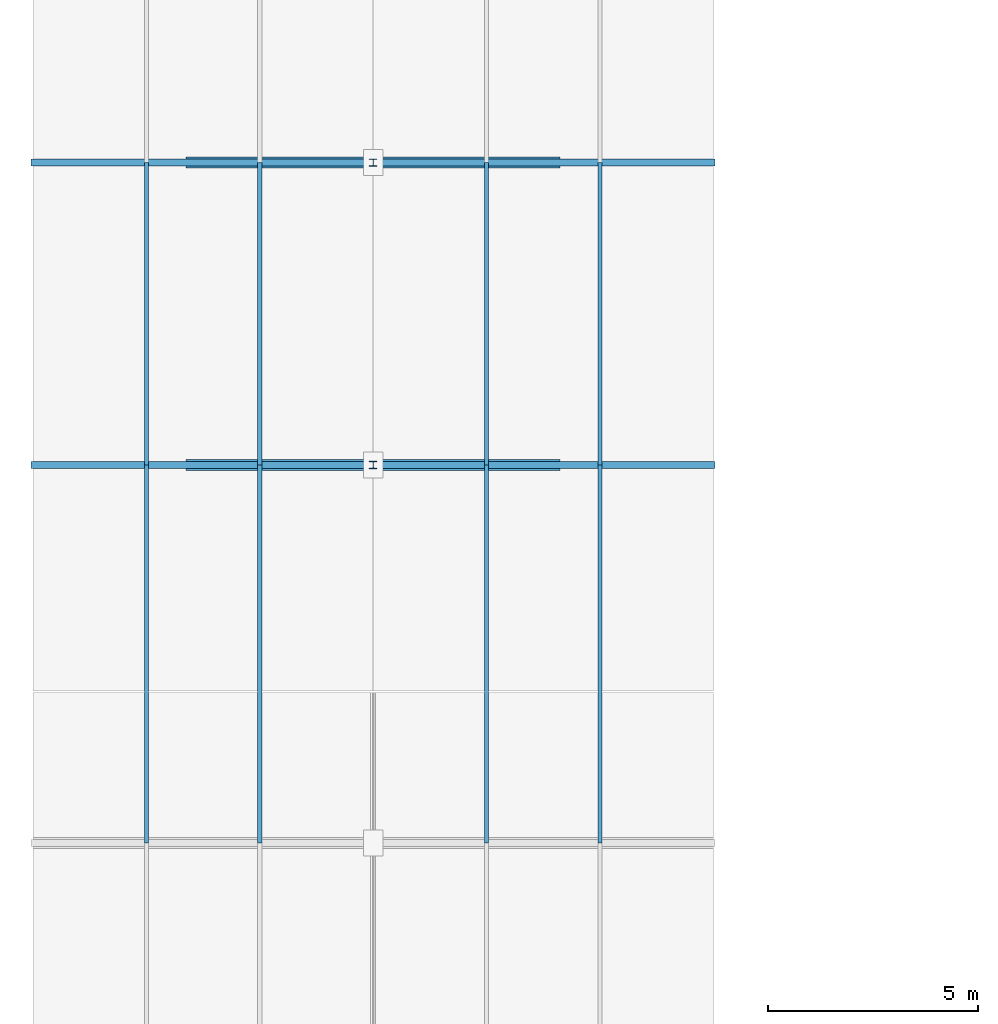
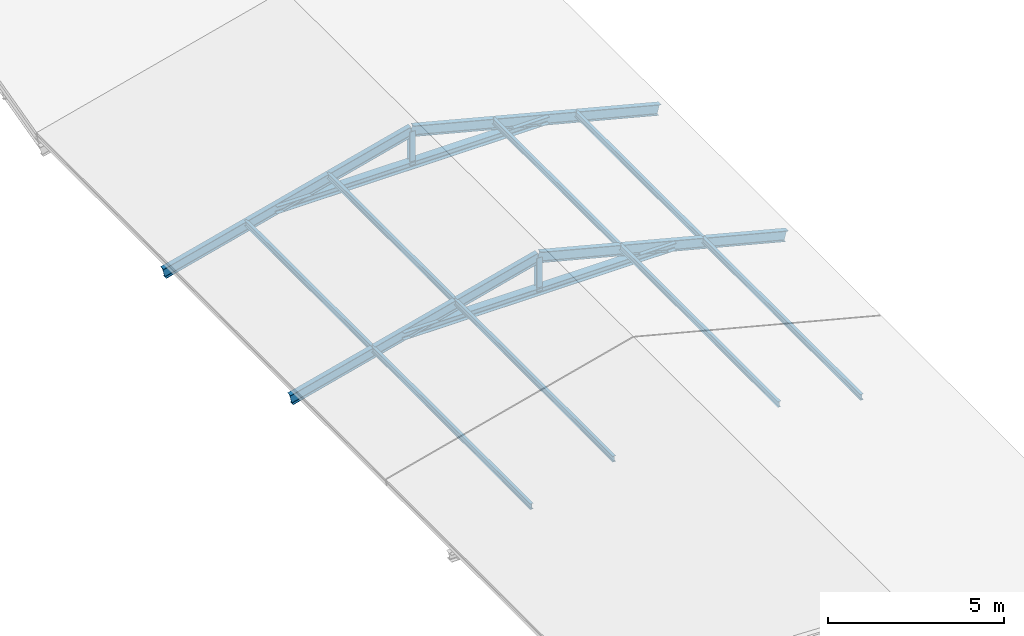
# One storey, part 11 of 31: 16 members.
"""IFC4 building model written with IfcOpenShell, lengths in metres."""

from ifc_helpers import new_model, si_unit, direction, frame, origin, origin_2d, place, context, subcontext, project, spatial, i_section, extrude, material, material_profile, profile_set, type_object, element, save


model = new_model("IFC4")

# Units and contexts
model_context = context("Model", 3, precision=1e-05, world=origin(), true_north=direction((0.0, 1.0)))
body_context = subcontext(model_context, "Body", "Model", "MODEL_VIEW")
ifc_project = project(units=[si_unit("LENGTHUNIT", "METRE"), si_unit("AREAUNIT", "SQUARE_METRE"), si_unit("VOLUMEUNIT", "CUBIC_METRE"), si_unit("PLANEANGLEUNIT", "RADIAN"), si_unit("MASSUNIT", "GRAM", prefix="KILO")], contexts=[model_context])

# Site, building, storey
site_placement = place(None, origin())
site = spatial("IfcSite", under=ifc_project, at=site_placement, CompositionType="ELEMENT")
building_placement = place(site_placement, origin())
building = spatial("IfcBuilding", under=site, at=building_placement, Name="Clarverna Civic Hall", CompositionType="ELEMENT")
storey_placement = place(building_placement, frame((0.0, 0.0, 31.199951171875)))
storey = spatial("IfcBuildingStorey", under=building, at=storey_placement, Name="RF", CompositionType="ELEMENT", Elevation=31.199951171875)

# Members
ifc_material = material(Name="Steel S355", Category="steel")
ifc_material_profile_1 = material_profile(ifc_material, i_section(OverallWidth=0.260009765625, OverallDepth=0.25, WebThickness=0.007568359375, FlangeThickness=0.012451171875, FilletRadius=0.02392578125, at=origin_2d()), Name="HEA 260")
ifc_profile_set_1 = profile_set([ifc_material_profile_1], Name="Steel S355")
member_type_1 = type_object("IfcMemberType", Name="CH-02", PredefinedType="CHORD", material=ifc_profile_set_1)
for number, where, z_axis, x_axis, name in (
    (1, (3.64501953125, 87.800048828125, -10.207275390625), (1.0, 0.0, 0.0), (0.0, 1.0, 0.0), "CH-02-004"),
    (2, (3.64501953125, 95.0, -10.207275390625), (1.0, 0.0, 0.0), (0.0, 1.0, 0.0), "CH-02-005"),
):
    element("IfcMember", number, at=place(storey_placement, frame(where, z_axis=z_axis, x_axis=x_axis)), inside=storey, type_object=member_type_1, Name=name, PredefinedType="CHORD", context=body_context, shape_type="SweptSolid", body=[
        extrude(i_section(OverallWidth=0.260009765625, OverallDepth=0.25, WebThickness=0.007568359375, FlangeThickness=0.012451171875, FilletRadius=0.02392578125, at=origin_2d()), origin(), (0.0, 0.0, 1.0), 8.909912109375),
    ])
ifc_material_profile_2 = material_profile(ifc_material, i_section(OverallWidth=0.179931640625, OverallDepth=0.1708984375, WebThickness=0.006103515625, FlangeThickness=0.009521484375, FilletRadius=0.014892578125, at=origin_2d()), Name="HEA 180")
ifc_profile_set_2 = profile_set([ifc_material_profile_2], Name="Steel S355")
member_type_2 = type_object("IfcMemberType", Name="CH-04", PredefinedType="CHORD", material=ifc_profile_set_2)
for number, where, z_axis, x_axis, name in (
    (3, (8.10009765625, 87.800048828125, -10.207275390625), (0.0, 0.0, 1.0), (1.0, 0.0, 0.0), "CH-04-096"),
    (4, (8.10009765625, 95.0, -10.207275390625), (0.0, 0.0, 1.0), (1.0, 0.0, 0.0), "CH-04-097"),
):
    element("IfcMember", number, at=place(storey_placement, frame(where, z_axis=z_axis, x_axis=x_axis)), inside=storey, type_object=member_type_2, Name=name, PredefinedType="CHORD", context=body_context, shape_type="SweptSolid", body=[
        extrude(i_section(OverallWidth=0.179931640625, OverallDepth=0.1708984375, WebThickness=0.006103515625, FlangeThickness=0.009521484375, FilletRadius=0.014892578125, at=origin_2d()), origin(), (0.0, 0.0, 1.0), 1.152099609375),
    ])
ifc_material_profile_3 = material_profile(ifc_material, i_section(OverallWidth=0.10009765625, OverallDepth=0.199951171875, WebThickness=0.005615234375, FlangeThickness=0.008544921875, FilletRadius=0.011962890625, at=origin_2d()), Name="IPE 200")
ifc_profile_set_3 = profile_set([ifc_material_profile_3], Name="Steel S355")
member_type_3 = type_object("IfcMemberType", Name="PU-RF1", PredefinedType="PURLIN", material=ifc_profile_set_3)
member_1_placement = place(storey_placement, frame((2.699951171875, 78.800048828125, -10.361572265625), z_axis=(0.0, 1.0, 0.0), x_axis=(-1.0, 0.0, 0.0)))
element("IfcMember", 5, at=member_1_placement, inside=storey, type_object=member_type_3, Name="PU-RF1-035", PredefinedType="PURLIN", context=body_context, shape_type="SweptSolid", body=[
    extrude(i_section(OverallWidth=0.10009765625, OverallDepth=0.199951171875, WebThickness=0.005615234375, FlangeThickness=0.008544921875, FilletRadius=0.011962890625, at=origin_2d()), origin(), (0.0, 0.0, 1.0), 9.0),
])
member_2_placement = place(storey_placement, frame((2.699951171875, 87.800048828125, -10.361572265625), z_axis=(0.0, 1.0, 0.0), x_axis=(-1.0, 0.0, 0.0)))
element("IfcMember", 6, at=member_2_placement, inside=storey, type_object=member_type_3, Name="PU-RF1-036", PredefinedType="PURLIN", context=body_context, shape_type="SweptSolid", body=[
    extrude(i_section(OverallWidth=0.10009765625, OverallDepth=0.199951171875, WebThickness=0.005615234375, FlangeThickness=0.008544921875, FilletRadius=0.011962890625, at=origin_2d()), origin(), (0.0, 0.0, 1.0), 7.199951171875),
])
member_3_placement = place(storey_placement, frame((5.39990234375, 78.800048828125, -9.663330078125), z_axis=(0.0, 1.0, 0.0), x_axis=(-1.0, 0.0, 0.0)))
element("IfcMember", 7, at=member_3_placement, inside=storey, type_object=member_type_3, Name="PU-RF1-040", PredefinedType="PURLIN", context=body_context, shape_type="SweptSolid", body=[
    extrude(i_section(OverallWidth=0.10009765625, OverallDepth=0.199951171875, WebThickness=0.005615234375, FlangeThickness=0.008544921875, FilletRadius=0.011962890625, at=origin_2d()), origin(), (0.0, 0.0, 1.0), 9.0),
])
member_4_placement = place(storey_placement, frame((5.39990234375, 87.800048828125, -9.663330078125), z_axis=(0.0, 1.0, 0.0), x_axis=(-1.0, 0.0, 0.0)))
element("IfcMember", 8, at=member_4_placement, inside=storey, type_object=member_type_3, Name="PU-RF1-041", PredefinedType="PURLIN", context=body_context, shape_type="SweptSolid", body=[
    extrude(i_section(OverallWidth=0.10009765625, OverallDepth=0.199951171875, WebThickness=0.005615234375, FlangeThickness=0.008544921875, FilletRadius=0.011962890625, at=origin_2d()), origin(), (0.0, 0.0, 1.0), 7.199951171875),
])
member_5_placement = place(storey_placement, frame((10.800048828125, 78.800048828125, -9.663330078125), z_axis=(0.0, 1.0, 0.0), x_axis=(-1.0, 0.0, 0.0)))
element("IfcMember", 9, at=member_5_placement, inside=storey, type_object=member_type_3, Name="PU-RF1-045", PredefinedType="PURLIN", context=body_context, shape_type="SweptSolid", body=[
    extrude(i_section(OverallWidth=0.10009765625, OverallDepth=0.199951171875, WebThickness=0.005615234375, FlangeThickness=0.008544921875, FilletRadius=0.011962890625, at=origin_2d()), origin(), (0.0, 0.0, 1.0), 9.0),
])
member_6_placement = place(storey_placement, frame((10.800048828125, 87.800048828125, -9.663330078125), z_axis=(0.0, 1.0, 0.0), x_axis=(-1.0, 0.0, 0.0)))
element("IfcMember", 10, at=member_6_placement, inside=storey, type_object=member_type_3, Name="PU-RF1-046", PredefinedType="PURLIN", context=body_context, shape_type="SweptSolid", body=[
    extrude(i_section(OverallWidth=0.10009765625, OverallDepth=0.199951171875, WebThickness=0.005615234375, FlangeThickness=0.008544921875, FilletRadius=0.011962890625, at=origin_2d()), origin(), (0.0, 0.0, 1.0), 7.199951171875),
])
member_7_placement = place(storey_placement, frame((13.5, 78.800048828125, -10.361572265625), z_axis=(0.0, 1.0, 0.0), x_axis=(-1.0, 0.0, 0.0)))
element("IfcMember", 11, at=member_7_placement, inside=storey, type_object=member_type_3, Name="PU-RF1-050", PredefinedType="PURLIN", context=body_context, shape_type="SweptSolid", body=[
    extrude(i_section(OverallWidth=0.10009765625, OverallDepth=0.199951171875, WebThickness=0.005615234375, FlangeThickness=0.008544921875, FilletRadius=0.011962890625, at=origin_2d()), origin(), (0.0, 0.0, 1.0), 9.0),
])
member_8_placement = place(storey_placement, frame((13.5, 87.800048828125, -10.361572265625), z_axis=(0.0, 1.0, 0.0), x_axis=(-1.0, 0.0, 0.0)))
element("IfcMember", 12, at=member_8_placement, inside=storey, type_object=member_type_3, Name="PU-RF1-051", PredefinedType="PURLIN", context=body_context, shape_type="SweptSolid", body=[
    extrude(i_section(OverallWidth=0.10009765625, OverallDepth=0.199951171875, WebThickness=0.005615234375, FlangeThickness=0.008544921875, FilletRadius=0.011962890625, at=origin_2d()), origin(), (0.0, 0.0, 1.0), 7.199951171875),
])
ifc_material_profile_4 = material_profile(ifc_material, i_section(OverallWidth=0.169921875, OverallDepth=0.360107421875, WebThickness=0.008056640625, FlangeThickness=0.0126953125, FilletRadius=0.01806640625, at=origin_2d()), Name="IPE 360")
ifc_profile_set_4 = profile_set([ifc_material_profile_4], Name="Steel S355")
member_type_4 = type_object("IfcMemberType", Name="RF-02", PredefinedType="RAFTER", material=ifc_profile_set_4)
member_9_placement = place(storey_placement, frame((0.0, 87.800048828125, -11.14990234375), z_axis=(0.96815057025, 0.0, 0.250368674807), x_axis=(0.0, 1.0, 0.0)))
element("IfcMember", 13, at=member_9_placement, inside=storey, type_object=member_type_4, Name="RF-02-007", PredefinedType="RAFTER", context=body_context, shape_type="SweptSolid", body=[
    extrude(i_section(OverallWidth=0.169921875, OverallDepth=0.360107421875, WebThickness=0.008056640625, FlangeThickness=0.0126953125, FilletRadius=0.01806640625, at=origin_2d()), origin(), (0.0, 0.0, 1.0), 8.366455078125),
])
member_10_placement = place(storey_placement, frame((16.199951171875, 87.800048828125, -11.14990234375), z_axis=(-0.968148741008, 0.0, 0.250375748195), x_axis=(0.0, -1.0, 0.0)))
element("IfcMember", 14, at=member_10_placement, inside=storey, type_object=member_type_4, Name="RF-02-008", PredefinedType="RAFTER", context=body_context, shape_type="SweptSolid", body=[
    extrude(i_section(OverallWidth=0.169921875, OverallDepth=0.360107421875, WebThickness=0.008056640625, FlangeThickness=0.0126953125, FilletRadius=0.01806640625, at=origin_2d()), origin(), (0.0, 0.0, 1.0), 8.3662109375),
])
member_11_placement = place(storey_placement, frame((0.0, 95.0, -11.14990234375), z_axis=(0.96815057025, 0.0, 0.250368674807), x_axis=(0.0, 1.0, 0.0)))
element("IfcMember", 15, at=member_11_placement, inside=storey, type_object=member_type_4, Name="RF-02-009", PredefinedType="RAFTER", context=body_context, shape_type="SweptSolid", body=[
    extrude(i_section(OverallWidth=0.169921875, OverallDepth=0.360107421875, WebThickness=0.008056640625, FlangeThickness=0.0126953125, FilletRadius=0.01806640625, at=origin_2d()), origin(), (0.0, 0.0, 1.0), 8.366455078125),
])
member_12_placement = place(storey_placement, frame((16.199951171875, 95.0, -11.14990234375), z_axis=(-0.968148741008, 0.0, 0.250375748195), x_axis=(0.0, -1.0, 0.0)))
element("IfcMember", 16, at=member_12_placement, inside=storey, type_object=member_type_4, Name="RF-02-010", PredefinedType="RAFTER", context=body_context, shape_type="SweptSolid", body=[
    extrude(i_section(OverallWidth=0.169921875, OverallDepth=0.360107421875, WebThickness=0.008056640625, FlangeThickness=0.0126953125, FilletRadius=0.01806640625, at=origin_2d()), origin(), (0.0, 0.0, 1.0), 8.3662109375),
])

save(model, "model.ifc")
